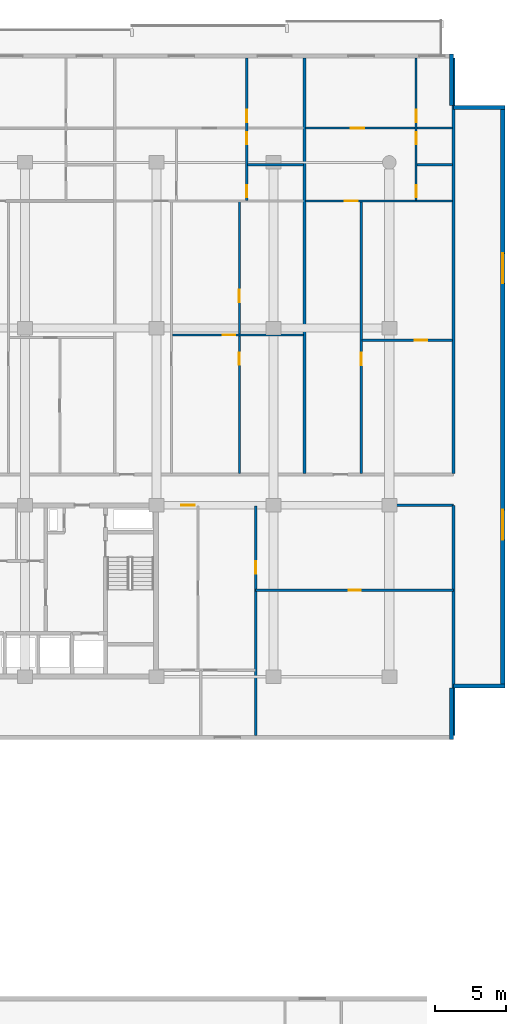
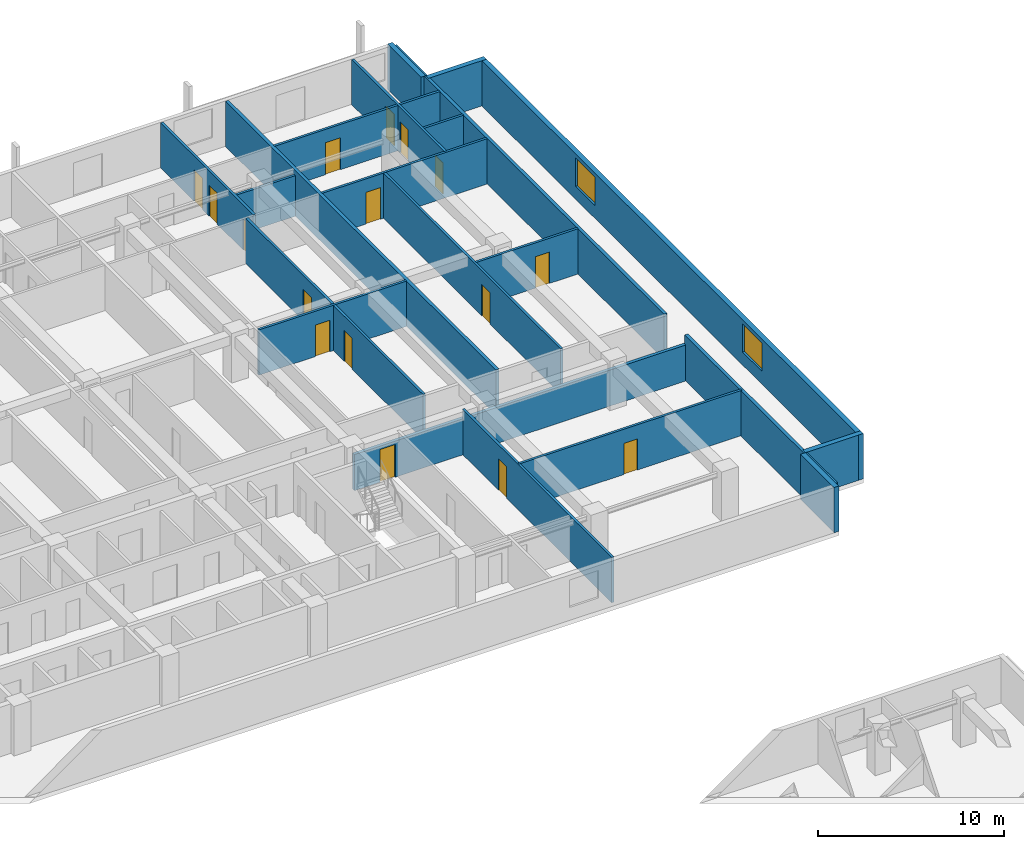
# One storey, part 17 of 23: 21 walls, 16 doors, 2 windows, 18 openings.
"""IFC4 building model written with IfcOpenShell, lengths in metres."""

from ifc_helpers import new_model, si_unit, direction, frame, frame_2d, origin, place, context, subcontext, project, spatial, rectangle, extrude, material, layer, layer_set, type_object, element, fill, save


model = new_model("IFC4")

# Units and contexts
model_context = context("Model", 3, precision=1e-05, world=origin(), true_north=direction((0.0, 1.0)))
body_context = subcontext(model_context, "Body", "Model", "MODEL_VIEW")
ifc_project = project(units=[si_unit("LENGTHUNIT", "METRE"), si_unit("AREAUNIT", "SQUARE_METRE"), si_unit("VOLUMEUNIT", "CUBIC_METRE"), si_unit("PLANEANGLEUNIT", "RADIAN"), si_unit("MASSUNIT", "GRAM", prefix="KILO")], contexts=[model_context])

# Site, building, storey
site_placement = place(None, origin())
site = spatial("IfcSite", under=ifc_project, at=site_placement, CompositionType="ELEMENT")
building_placement = place(site_placement, origin())
building = spatial("IfcBuilding", under=site, at=building_placement, Name="Korimba Cascade Residences", CompositionType="ELEMENT")
storey_placement = place(building_placement, frame((0.0, 0.0, 40.25)))
storey = spatial("IfcBuildingStorey", under=building, at=storey_placement, Name="L10", CompositionType="ELEMENT", Elevation=40.25)

# Walls
ifc_material_1 = material(Name="Precast concrete C40/50", Category="concrete")
ifc_layer_1 = layer(ifc_material_1, 0.300048828125)
ifc_layer_set_1 = layer_set([ifc_layer_1], Name="Precast concrete C40/50")
wall_type_1 = type_object("IfcWallType", Name="EW-STONE-300", PredefinedType="STANDARD", material=ifc_layer_set_1)
wall_1_placement = place(storey_placement, frame((132.75, 50.800048828125, 0.0), z_axis=(0.0, 0.0, 1.0), x_axis=(0.0, 1.0, 0.0)))
element("IfcWall", 1, at=wall_1_placement, inside=storey, type_object=wall_type_1, Name="L10 T1 Perimeter Stone Wall E01", PredefinedType="STANDARD", context=body_context, shape_type="SweptSolid", body=[
    extrude(rectangle(XDim=3.599853515625, YDim=0.300048828125, at=frame_2d((1.7998046875, 0.0))), origin(), (0.0, 0.0, 1.0), 2.969970703125),
])
wall_2_placement = place(storey_placement, frame((132.89990234375, 54.550048828125, 0.0), z_axis=(0.0, 0.0, 1.0), x_axis=(1.0, 0.0, 0.0)))
element("IfcWall", 2, at=wall_2_placement, inside=storey, type_object=wall_type_1, Name="L10 T1 Perimeter Stone Wall E02", PredefinedType="STANDARD", context=body_context, shape_type="SweptSolid", body=[
    extrude(rectangle(XDim=3.60009765625, YDim=0.300048828125, at=frame_2d((1.800048828125, 0.0))), origin(), (0.0, 0.0, 1.0), 2.969970703125),
])

# Wall, openings, windows
wall_3_placement = place(storey_placement, frame((136.35009765625, 54.39990234375, 0.0), z_axis=(0.0, 0.0, 1.0), x_axis=(0.0, 1.0, 0.0)))
wall_3 = element("IfcWall", 3, at=wall_3_placement, inside=storey, type_object=wall_type_1, Name="L10 T1 Perimeter Stone Wall E03", PredefinedType="STANDARD", context=body_context, shape_type="SweptSolid", body=[
    extrude(rectangle(XDim=40.800048828125, YDim=0.300048828125, at=frame_2d((20.39990234375, 0.0))), origin(), (0.0, 0.0, 1.0), 2.969970703125),
])
opening_1_placement = place(wall_3_placement, frame((10.3740234375, 0.0, 0.85009765625)))
opening_1 = element("IfcOpeningElement", 4, at=opening_1_placement, cuts=wall_3, Name="Opening W-03", PredefinedType="OPENING", context=body_context, shape_type="SweptSolid", body=[
    extrude(rectangle(XDim=2.10009765625, YDim=1.85009765625, at=frame_2d((1.050048828125, 0.925048828125))), frame((0.0, 0.16015625, 0.0), z_axis=(0.0, -1.0, 0.0), x_axis=(1.0, 0.0, 0.0)), (0.0, 0.0, 1.0), 0.320068359375),
])
opening_2_placement = place(wall_3_placement, frame((28.325927734375, 0.0, 0.85009765625)))
opening_2 = element("IfcOpeningElement", 5, at=opening_2_placement, cuts=wall_3, Name="Opening W-03", PredefinedType="OPENING", context=body_context, shape_type="SweptSolid", body=[
    extrude(rectangle(XDim=2.10009765625, YDim=1.85009765625, at=frame_2d((1.050048828125, 0.925048828125))), frame((0.0, 0.16015625, 0.0), z_axis=(0.0, -1.0, 0.0), x_axis=(1.0, 0.0, 0.0)), (0.0, 0.0, 1.0), 0.320068359375),
])
ifc_material_2 = material(Name="Double-Glazed Aluminium Window", Category="aluminium")
window_type = type_object("IfcWindowType", Name="WIN-CRN-2100", PartitioningType="DOUBLE_PANEL_HORIZONTAL", PredefinedType="WINDOW", material=ifc_material_2)
window_1_placement = place(opening_1_placement, origin())
window_1 = element("IfcWindow", 6, at=window_1_placement, inside=storey, type_object=window_type, Name="L10 T1 End View Window 3.1", OverallHeight=1.85009765625, OverallWidth=2.10009765625, PartitioningType="DOUBLE_PANEL_HORIZONTAL", PredefinedType="WINDOW", context=body_context, shape_type="SweptSolid", body=[
    extrude(rectangle(XDim=2.10009765625, YDim=1.85009765625, at=frame_2d((1.050048828125, 0.925048828125))), frame((0.0, 0.030029296875, 0.0), z_axis=(0.0, -1.0, 0.0), x_axis=(1.0, 0.0, 0.0)), (0.0, 0.0, 1.0), 0.06005859375),
])
fill(opening_1, window_1)
window_2_placement = place(opening_2_placement, origin())
window_2 = element("IfcWindow", 7, at=window_2_placement, inside=storey, type_object=window_type, Name="L10 T1 End View Window 3.2", OverallHeight=1.85009765625, OverallWidth=2.10009765625, PartitioningType="DOUBLE_PANEL_HORIZONTAL", PredefinedType="WINDOW", context=body_context, shape_type="SweptSolid", body=[
    extrude(rectangle(XDim=2.10009765625, YDim=1.85009765625, at=frame_2d((1.050048828125, 0.925048828125))), frame((0.0, 0.030029296875, 0.0), z_axis=(0.0, -1.0, 0.0), x_axis=(1.0, 0.0, 0.0)), (0.0, 0.0, 1.0), 0.06005859375),
])
fill(opening_2, window_2)

# Walls
for number, where, z_axis, x_axis, name in (
    (8, (136.5, 95.050048828125, 0.0), (0.0, 0.0, 1.0), (-1.0, 0.0, 0.0), "L10 T1 Perimeter Stone Wall E04"),
    (9, (132.75, 95.199951171875, 0.0), (0.0, 0.0, 1.0), (0.0, 1.0, 0.0), "L10 T1 Perimeter Stone Wall E05"),
):
    element("IfcWall", number, at=place(storey_placement, frame(where, z_axis=z_axis, x_axis=x_axis)), inside=storey, type_object=wall_type_1, Name=name, PredefinedType="STANDARD", context=body_context, shape_type="SweptSolid", body=[
        extrude(rectangle(XDim=3.60009765625, YDim=0.300048828125, at=frame_2d((1.800048828125, 0.0))), origin(), (0.0, 0.0, 1.0), 2.969970703125),
    ])
ifc_layer_2 = layer(ifc_material_1, 0.199951171875)
ifc_layer_set_2 = layer_set([ifc_layer_2], Name="Precast concrete C40/50")
wall_type_2 = type_object("IfcWallType", Name="WAL-IT-200", PredefinedType="PARTITIONING", material=ifc_layer_set_2)
wall_4_placement = place(storey_placement, frame((132.89990234375, 51.10009765625, 0.0), z_axis=(0.0, 0.0, 1.0), x_axis=(0.0, 1.0, 0.0)))
element("IfcWall", 10, at=wall_4_placement, inside=storey, type_object=wall_type_2, Name="L10 Partition Wall WAL-L10-T1-FE-WR", PredefinedType="PARTITIONING", context=body_context, shape_type="SweptSolid", body=[
    extrude(rectangle(XDim=16.099853515625, YDim=0.199951171875, at=frame_2d((8.0498046875, 0.0))), origin(), (0.0, 0.0, 1.0), 2.969970703125),
])

# Wall, opening, door
wall_5_placement = place(storey_placement, frame((112.25, 67.199951171875, 0.0), z_axis=(0.0, 0.0, 1.0), x_axis=(1.0, 0.0, 0.0)))
wall_5 = element("IfcWall", 11, at=wall_5_placement, inside=storey, type_object=wall_type_2, Name="L10 Partition Wall WAL-L10-T1-FE-N", PredefinedType="PARTITIONING", context=body_context, shape_type="SweptSolid", body=[
    extrude(rectangle(XDim=20.64990234375, YDim=0.199951171875, at=frame_2d((10.324951171875, 0.0))), origin(), (0.0, 0.0, 1.0), 2.3701171875),
])
opening_3_placement = place(wall_5_placement, frame((1.580078125, 0.0, 0.0)))
opening_3 = element("IfcOpeningElement", 12, at=opening_3_placement, cuts=wall_5, Name="Opening D-UN1", PredefinedType="OPENING", context=body_context, shape_type="SweptSolid", body=[
    extrude(rectangle(XDim=0.949951171875, YDim=2.14990234375, at=frame_2d((0.47509765625, 1.074951171875))), frame((0.0, 0.10986328125, 0.0), z_axis=(0.0, -1.0, 0.0), x_axis=(1.0, 0.0, 0.0)), (0.0, 0.0, 1.0), 0.219970703125),
])
ifc_material_3 = material(Name="Fire-Rated Hardwood Apartment Entrance Door", Category="wood")
door_type_1 = type_object("IfcDoorType", Name="DR-FD60-950", OperationType="NOTDEFINED", PredefinedType="DOOR", material=ifc_material_3)
door_1_placement = place(opening_3_placement, origin())
door_1 = element("IfcDoor", 13, at=door_1_placement, inside=storey, type_object=door_type_1, Name="L10-T1-FE Entrance Door", OperationType="SINGLE_SWING_LEFT", OverallHeight=2.14990234375, OverallWidth=0.949951171875, PredefinedType="DOOR", context=body_context, shape_type="SweptSolid", body=[
    extrude(rectangle(XDim=0.949951171875, YDim=2.14990234375, at=frame_2d((0.47509765625, 1.074951171875))), frame((0.0, 0.02490234375, 0.0), z_axis=(0.0, -1.0, 0.0), x_axis=(1.0, 0.0, 0.0)), (0.0, 0.0, 1.0), 0.050048828125),
])
fill(opening_3, door_1)

# Walls
for number, where, z_axis, x_axis, name in (
    (14, (132.89990234375, 69.429931640625, 0.0), (0.0, 0.0, 1.0), (0.0, 1.0, 0.0), "L10 Partition Wall WAL-L10-T1-BNDWR"),
    (15, (122.4697265625, 69.429931640625, 0.0), (0.0, 0.0, 1.0), (0.0, 1.0, 0.0), "L10 Partition Wall WAL-L10-T1-DEM-5"),
):
    element("IfcWall", number, at=place(storey_placement, frame(where, z_axis=z_axis, x_axis=x_axis)), inside=storey, type_object=wall_type_2, Name=name, PredefinedType="PARTITIONING", context=body_context, shape_type="SweptSolid", body=[
        extrude(rectangle(XDim=29.070068359375, YDim=0.199951171875, at=frame_2d((14.53515625, 0.0))), origin(), (0.0, 0.0, 1.0), 2.969970703125),
    ])

# Wall, opening, door
ifc_material_4 = material(Name="Insulated Acoustic Stud Partition", Category="gypsum")
ifc_layer_3 = layer(ifc_material_4, 0.14990234375)
ifc_layer_set_3 = layer_set([ifc_layer_3], Name="Insulated Acoustic Stud Partition")
wall_type_3 = type_object("IfcWallType", Name="WAL-PART-150", PredefinedType="PARTITIONING", material=ifc_layer_set_3)
wall_6_placement = place(storey_placement, frame((119.050048828125, 61.25, 0.0), z_axis=(0.0, 0.0, 1.0), x_axis=(1.0, 0.0, 0.0)))
wall_6 = element("IfcWall", 16, at=wall_6_placement, inside=storey, type_object=wall_type_3, Name="L10 Partition Wall WAL-L10-T1-FE-STH", PredefinedType="PARTITIONING", context=body_context, shape_type="SweptSolid", body=[
    extrude(rectangle(XDim=13.849853515625, YDim=0.14990234375, at=frame_2d((6.9248046875, 0.0))), origin(), (0.0, 0.0, 1.0), 2.969970703125),
])
opening_4_placement = place(wall_6_placement, frame((6.5048828125, 0.0, 0.0)))
opening_4 = element("IfcOpeningElement", 17, at=opening_4_placement, cuts=wall_6, Name="Opening D-BT1", PredefinedType="OPENING", context=body_context, shape_type="SweptSolid", body=[
    extrude(rectangle(XDim=0.840087890625, YDim=2.0400390625, at=frame_2d((0.419921875, 1.02001953125))), frame((0.0, 0.0849609375, 0.0), z_axis=(0.0, -1.0, 0.0), x_axis=(1.0, 0.0, 0.0)), (0.0, 0.0, 1.0), 0.169921875),
])
ifc_material_5 = material(Name="Moisture-Resistant Bathroom Timber Door", Category="wood")
door_type_2 = type_object("IfcDoorType", Name="DR-INT-850", OperationType="NOTDEFINED", PredefinedType="DOOR", material=ifc_material_5)
door_2_placement = place(opening_4_placement, origin())
door_2 = element("IfcDoor", 18, at=door_2_placement, inside=storey, type_object=door_type_2, Name="L10-T1-FE Dressing Store Door", OperationType="SINGLE_SWING_RIGHT", OverallHeight=2.0400390625, OverallWidth=0.840087890625, PredefinedType="DOOR", context=body_context, shape_type="SweptSolid", body=[
    extrude(rectangle(XDim=0.840087890625, YDim=2.0400390625, at=frame_2d((0.419921875, 1.02001953125))), frame((0.0, 0.02490234375, 0.0), z_axis=(0.0, -1.0, 0.0), x_axis=(1.0, 0.0, 0.0)), (0.0, 0.0, 1.0), 0.050048828125),
])
fill(opening_4, door_2)

wall_7_placement = place(storey_placement, frame((119.050048828125, 51.10009765625, 0.0), z_axis=(0.0, 0.0, 1.0), x_axis=(0.0, 1.0, 0.0)))
wall_7 = element("IfcWall", 19, at=wall_7_placement, inside=storey, type_object=wall_type_3, Name="L10 Partition Wall WAL-L10-T1-FE-STV", PredefinedType="PARTITIONING", context=body_context, shape_type="SweptSolid", body=[
    extrude(rectangle(XDim=16.0498046875, YDim=0.14990234375, at=frame_2d((8.02490234375, 0.0))), origin(), (0.0, 0.0, 1.0), 2.969970703125),
])
opening_5_placement = place(wall_7_placement, frame((11.300048828125, 0.0, 0.0)))
opening_5 = element("IfcOpeningElement", 20, at=opening_5_placement, cuts=wall_7, Name="Opening D-IN2", PredefinedType="OPENING", context=body_context, shape_type="SweptSolid", body=[
    extrude(rectangle(XDim=0.8798828125, YDim=2.06005859375, at=frame_2d((0.43994140625, 1.030029296875))), frame((0.0, 0.0849609375, 0.0), z_axis=(0.0, -1.0, 0.0), x_axis=(1.0, 0.0, 0.0)), (0.0, 0.0, 1.0), 0.169921875),
])
ifc_material_6 = material(Name="Acoustic Timber Bedroom Door", Category="wood")
door_type_3 = type_object("IfcDoorType", Name="DR-INT-880", OperationType="NOTDEFINED", PredefinedType="DOOR", material=ifc_material_6)
door_3_placement = place(opening_5_placement, origin())
door_3 = element("IfcDoor", 21, at=door_3_placement, inside=storey, type_object=door_type_3, Name="L10-T1-FE Study Door", OperationType="SINGLE_SWING_LEFT", OverallHeight=2.06005859375, OverallWidth=0.8798828125, PredefinedType="DOOR", context=body_context, shape_type="SweptSolid", body=[
    extrude(rectangle(XDim=0.8798828125, YDim=2.06005859375, at=frame_2d((0.43994140625, 1.030029296875))), frame((0.0, 0.02490234375, 0.0), z_axis=(0.0, -1.0, 0.0), x_axis=(1.0, 0.0, 0.0)), (0.0, 0.0, 1.0), 0.050048828125),
])
fill(opening_5, door_3)

# Wall, openings, doors
wall_8_placement = place(storey_placement, frame((117.903564453125, 69.409912109375, 0.0), z_axis=(0.0, 0.0, 1.0), x_axis=(0.0, 1.0, 0.0)))
wall_8 = element("IfcWall", 22, at=wall_8_placement, inside=storey, type_object=wall_type_3, Name="L10 Partition Wall WAL-L10-T1-U05-FMV", PredefinedType="PARTITIONING", context=body_context, shape_type="SweptSolid", body=[
    extrude(rectangle(XDim=19.050048828125, YDim=0.14990234375, at=frame_2d((9.52490234375, 0.0))), origin(), (0.0, 0.0, 1.0), 2.969970703125),
])
opening_6_placement = place(wall_8_placement, frame((7.623291015625, 0.0, 0.0)))
opening_6 = element("IfcOpeningElement", 23, at=opening_6_placement, cuts=wall_8, Name="Opening D-BT1", PredefinedType="OPENING", context=body_context, shape_type="SweptSolid", body=[
    extrude(rectangle(XDim=0.840087890625, YDim=2.0400390625, at=frame_2d((0.419921875, 1.02001953125))), frame((0.0, 0.0849609375, 0.0), z_axis=(0.0, -1.0, 0.0), x_axis=(1.0, 0.0, 0.0)), (0.0, 0.0, 1.0), 0.169921875),
])
opening_7_placement = place(wall_8_placement, frame((12.0, 0.0, 0.0)))
opening_7 = element("IfcOpeningElement", 24, at=opening_7_placement, cuts=wall_8, Name="Opening D-IN2", PredefinedType="OPENING", context=body_context, shape_type="SweptSolid", body=[
    extrude(rectangle(XDim=0.8798828125, YDim=2.06005859375, at=frame_2d((0.43994140625, 1.030029296875))), frame((0.0, 0.0849609375, 0.0), z_axis=(0.0, -1.0, 0.0), x_axis=(1.0, 0.0, 0.0)), (0.0, 0.0, 1.0), 0.169921875),
])
door_4_placement = place(opening_6_placement, origin())
door_4 = element("IfcDoor", 25, at=door_4_placement, inside=storey, type_object=door_type_2, Name="L10-T1-U05 Wardrobe Door", OperationType="SINGLE_SWING_LEFT", OverallHeight=2.0400390625, OverallWidth=0.840087890625, PredefinedType="DOOR", context=body_context, shape_type="SweptSolid", body=[
    extrude(rectangle(XDim=0.840087890625, YDim=2.0400390625, at=frame_2d((0.419921875, 1.02001953125))), frame((0.0, 0.02490234375, 0.0), z_axis=(0.0, -1.0, 0.0), x_axis=(1.0, 0.0, 0.0)), (0.0, 0.0, 1.0), 0.050048828125),
])
fill(opening_6, door_4)
door_5_placement = place(opening_7_placement, origin())
door_5 = element("IfcDoor", 26, at=door_5_placement, inside=storey, type_object=door_type_3, Name="L10-T1-U05 Music Lounge Door", OperationType="SINGLE_SWING_RIGHT", OverallHeight=2.06005859375, OverallWidth=0.8798828125, PredefinedType="DOOR", context=body_context, shape_type="SweptSolid", body=[
    extrude(rectangle(XDim=0.8798828125, YDim=2.06005859375, at=frame_2d((0.43994140625, 1.030029296875))), frame((0.0, 0.02490234375, 0.0), z_axis=(0.0, -1.0, 0.0), x_axis=(1.0, 0.0, 0.0)), (0.0, 0.0, 1.0), 0.050048828125),
])
fill(opening_7, door_5)

# Wall, opening, door
wall_9_placement = place(storey_placement, frame((113.21728515625, 79.114990234375, 0.0), z_axis=(0.0, 0.0, 1.0), x_axis=(1.0, 0.0, 0.0)))
wall_9 = element("IfcWall", 27, at=wall_9_placement, inside=storey, type_object=wall_type_3, Name="L10 Partition Wall WAL-L10-T1-U05-FMH", PredefinedType="PARTITIONING", context=body_context, shape_type="SweptSolid", body=[
    extrude(rectangle(XDim=9.172607421875, YDim=0.14990234375, at=frame_2d((4.58642578125, 0.0))), origin(), (0.0, 0.0, 1.0), 2.969970703125),
])
opening_8_placement = place(wall_9_placement, frame((3.521484375, 0.0, 0.0)))
opening_8 = element("IfcOpeningElement", 28, at=opening_8_placement, cuts=wall_9, Name="Opening D-IN2", PredefinedType="OPENING", context=body_context, shape_type="SweptSolid", body=[
    extrude(rectangle(XDim=0.8798828125, YDim=2.06005859375, at=frame_2d((0.43994140625, 1.030029296875))), frame((0.0, 0.0849609375, 0.0), z_axis=(0.0, -1.0, 0.0), x_axis=(1.0, 0.0, 0.0)), (0.0, 0.0, 1.0), 0.169921875),
])
door_6_placement = place(opening_8_placement, origin())
door_6 = element("IfcDoor", 29, at=door_6_placement, inside=storey, type_object=door_type_3, Name="L10-T1-U05 Library Salon Door", OperationType="SINGLE_SWING_LEFT", OverallHeight=2.06005859375, OverallWidth=0.8798828125, PredefinedType="DOOR", context=body_context, shape_type="SweptSolid", body=[
    extrude(rectangle(XDim=0.8798828125, YDim=2.06005859375, at=frame_2d((0.43994140625, 1.030029296875))), frame((0.0, 0.02490234375, 0.0), z_axis=(0.0, -1.0, 0.0), x_axis=(1.0, 0.0, 0.0)), (0.0, 0.0, 1.0), 0.050048828125),
])
fill(opening_8, door_6)

# Wall
wall_10_placement = place(storey_placement, frame((118.47998046875, 91.0400390625, 0.0), z_axis=(0.0, 0.0, 1.0), x_axis=(1.0, 0.0, 0.0)))
element("IfcWall", 30, at=wall_10_placement, inside=storey, type_object=wall_type_3, Name="L10 Partition Wall WAL-L10-T1-U05-BLDIV", PredefinedType="PARTITIONING", context=body_context, shape_type="SweptSolid", body=[
    extrude(rectangle(XDim=3.909912109375, YDim=0.14990234375, at=frame_2d((1.955078125, 0.0))), origin(), (0.0, 0.0, 1.0), 2.663330078125),
])

# Wall, openings, doors
wall_11_placement = place(storey_placement, frame((118.419921875, 88.5400390625, 0.0), z_axis=(0.0, 0.0, 1.0), x_axis=(0.0, 1.0, 0.0)))
wall_11 = element("IfcWall", 31, at=wall_11_placement, inside=storey, type_object=wall_type_3, Name="L10 Partition Wall WAL-L10-T1-U05-V1", PredefinedType="PARTITIONING", context=body_context, shape_type="SweptSolid", body=[
    extrude(rectangle(XDim=9.9599609375, YDim=0.14990234375, at=frame_2d((4.97998046875, 0.0))), origin(), (0.0, 0.0, 1.0), 2.969970703125),
])
opening_9_placement = place(wall_11_placement, frame((0.239990234375, 0.0, 0.0)))
opening_9 = element("IfcOpeningElement", 32, at=opening_9_placement, cuts=wall_11, Name="Opening D-BT1", PredefinedType="OPENING", context=body_context, shape_type="SweptSolid", body=[
    extrude(rectangle(XDim=0.840087890625, YDim=2.0400390625, at=frame_2d((0.419921875, 1.02001953125))), frame((0.0, 0.0849609375, 0.0), z_axis=(0.0, -1.0, 0.0), x_axis=(1.0, 0.0, 0.0)), (0.0, 0.0, 1.0), 0.169921875),
])
opening_10_placement = place(wall_11_placement, frame((3.919921875, 0.0, 0.0)))
opening_10 = element("IfcOpeningElement", 33, at=opening_10_placement, cuts=wall_11, Name="Opening D-BT1", PredefinedType="OPENING", context=body_context, shape_type="SweptSolid", body=[
    extrude(rectangle(XDim=0.840087890625, YDim=2.0400390625, at=frame_2d((0.419921875, 1.02001953125))), frame((0.0, 0.0849609375, 0.0), z_axis=(0.0, -1.0, 0.0), x_axis=(1.0, 0.0, 0.0)), (0.0, 0.0, 1.0), 0.169921875),
])
opening_11_placement = place(wall_11_placement, frame((5.47998046875, 0.0, 0.0)))
opening_11 = element("IfcOpeningElement", 34, at=opening_11_placement, cuts=wall_11, Name="Opening D-IN2", PredefinedType="OPENING", context=body_context, shape_type="SweptSolid", body=[
    extrude(rectangle(XDim=0.8798828125, YDim=2.06005859375, at=frame_2d((0.43994140625, 1.030029296875))), frame((0.0, 0.0849609375, 0.0), z_axis=(0.0, -1.0, 0.0), x_axis=(1.0, 0.0, 0.0)), (0.0, 0.0, 1.0), 0.169921875),
])
door_7_placement = place(opening_9_placement, origin())
door_7 = element("IfcDoor", 35, at=door_7_placement, inside=storey, type_object=door_type_2, Name="L10-T1-U05 Bathroom Door", OperationType="SINGLE_SWING_RIGHT", OverallHeight=2.0400390625, OverallWidth=0.840087890625, PredefinedType="DOOR", context=body_context, shape_type="SweptSolid", body=[
    extrude(rectangle(XDim=0.840087890625, YDim=2.0400390625, at=frame_2d((0.419921875, 1.02001953125))), frame((0.0, 0.02490234375, 0.0), z_axis=(0.0, -1.0, 0.0), x_axis=(1.0, 0.0, 0.0)), (0.0, 0.0, 1.0), 0.050048828125),
])
fill(opening_9, door_7)
door_8_placement = place(opening_10_placement, origin())
door_8 = element("IfcDoor", 36, at=door_8_placement, inside=storey, type_object=door_type_2, Name="L10-T1-U05 Laundry Door", OperationType="SINGLE_SWING_LEFT", OverallHeight=2.0400390625, OverallWidth=0.840087890625, PredefinedType="DOOR", context=body_context, shape_type="SweptSolid", body=[
    extrude(rectangle(XDim=0.840087890625, YDim=2.0400390625, at=frame_2d((0.419921875, 1.02001953125))), frame((0.0, 0.02490234375, 0.0), z_axis=(0.0, -1.0, 0.0), x_axis=(1.0, 0.0, 0.0)), (0.0, 0.0, 1.0), 0.050048828125),
])
fill(opening_10, door_8)
door_9_placement = place(opening_11_placement, origin())
door_9 = element("IfcDoor", 37, at=door_9_placement, inside=storey, type_object=door_type_3, Name="L10-T1-U05 Bedroom 1 Door", OperationType="SINGLE_SWING_RIGHT", OverallHeight=2.06005859375, OverallWidth=0.8798828125, PredefinedType="DOOR", context=body_context, shape_type="SweptSolid", body=[
    extrude(rectangle(XDim=0.8798828125, YDim=2.06005859375, at=frame_2d((0.43994140625, 1.030029296875))), frame((0.0, 0.02490234375, 0.0), z_axis=(0.0, -1.0, 0.0), x_axis=(1.0, 0.0, 0.0)), (0.0, 0.0, 1.0), 0.050048828125),
])
fill(opening_11, door_9)

# Wall, opening, door
wall_12_placement = place(storey_placement, frame((126.499755859375, 78.7548828125, 0.0), z_axis=(0.0, 0.0, 1.0), x_axis=(1.0, 0.0, 0.0)))
wall_12 = element("IfcWall", 38, at=wall_12_placement, inside=storey, type_object=wall_type_3, Name="L10 Partition Wall WAL-L10-T1-U06-FMH", PredefinedType="PARTITIONING", context=body_context, shape_type="SweptSolid", body=[
    extrude(rectangle(XDim=6.3203125, YDim=0.14990234375, at=frame_2d((3.16015625, 0.0))), origin(), (0.0, 0.0, 1.0), 2.969970703125),
])
opening_12_placement = place(wall_12_placement, frame((3.668212890625, 0.0, 0.0)))
opening_12 = element("IfcOpeningElement", 39, at=opening_12_placement, cuts=wall_12, Name="Opening D-IN2", PredefinedType="OPENING", context=body_context, shape_type="SweptSolid", body=[
    extrude(rectangle(XDim=0.8798828125, YDim=2.06005859375, at=frame_2d((0.43994140625, 1.030029296875))), frame((0.0, 0.0849609375, 0.0), z_axis=(0.0, -1.0, 0.0), x_axis=(1.0, 0.0, 0.0)), (0.0, 0.0, 1.0), 0.169921875),
])
door_10_placement = place(opening_12_placement, origin())
door_10 = element("IfcDoor", 40, at=door_10_placement, inside=storey, type_object=door_type_3, Name="L10-T1-U06 Library Salon Door", OperationType="SINGLE_SWING_LEFT", OverallHeight=2.06005859375, OverallWidth=0.8798828125, PredefinedType="DOOR", context=body_context, shape_type="SweptSolid", body=[
    extrude(rectangle(XDim=0.8798828125, YDim=2.06005859375, at=frame_2d((0.43994140625, 1.030029296875))), frame((0.0, 0.02490234375, 0.0), z_axis=(0.0, -1.0, 0.0), x_axis=(1.0, 0.0, 0.0)), (0.0, 0.0, 1.0), 0.050048828125),
])
fill(opening_12, door_10)

wall_13_placement = place(storey_placement, frame((126.439697265625, 69.409912109375, 0.0), z_axis=(0.0, 0.0, 1.0), x_axis=(0.0, 1.0, 0.0)))
wall_13 = element("IfcWall", 41, at=wall_13_placement, inside=storey, type_object=wall_type_3, Name="L10 Partition Wall WAL-L10-T1-U06-FV", PredefinedType="PARTITIONING", context=body_context, shape_type="SweptSolid", body=[
    extrude(rectangle(XDim=19.050048828125, YDim=0.14990234375, at=frame_2d((9.52490234375, 0.0))), origin(), (0.0, 0.0, 1.0), 2.969970703125),
])
opening_13_placement = place(wall_13_placement, frame((7.585693359375, 0.0, 0.0)))
opening_13 = element("IfcOpeningElement", 42, at=opening_13_placement, cuts=wall_13, Name="Opening D-IN2", PredefinedType="OPENING", context=body_context, shape_type="SweptSolid", body=[
    extrude(rectangle(XDim=0.8798828125, YDim=2.06005859375, at=frame_2d((0.43994140625, 1.030029296875))), frame((0.0, 0.0849609375, 0.0), z_axis=(0.0, -1.0, 0.0), x_axis=(1.0, 0.0, 0.0)), (0.0, 0.0, 1.0), 0.169921875),
])
door_11_placement = place(opening_13_placement, origin())
door_11 = element("IfcDoor", 43, at=door_11_placement, inside=storey, type_object=door_type_3, Name="L10-T1-U06 Media Lounge Door", OperationType="SINGLE_SWING_RIGHT", OverallHeight=2.06005859375, OverallWidth=0.8798828125, PredefinedType="DOOR", context=body_context, shape_type="SweptSolid", body=[
    extrude(rectangle(XDim=0.8798828125, YDim=2.06005859375, at=frame_2d((0.43994140625, 1.030029296875))), frame((0.0, 0.02490234375, 0.0), z_axis=(0.0, -1.0, 0.0), x_axis=(1.0, 0.0, 0.0)), (0.0, 0.0, 1.0), 0.050048828125),
])
fill(opening_13, door_11)

# Wall
wall_14_placement = place(storey_placement, frame((130.340087890625, 91.0400390625, 0.0), z_axis=(0.0, 0.0, 1.0), x_axis=(1.0, 0.0, 0.0)))
element("IfcWall", 44, at=wall_14_placement, inside=storey, type_object=wall_type_3, Name="L10 Partition Wall WAL-L10-T1-U06-BLDIV", PredefinedType="PARTITIONING", context=body_context, shape_type="SweptSolid", body=[
    extrude(rectangle(XDim=2.47998046875, YDim=0.14990234375, at=frame_2d((1.239990234375, 0.0))), origin(), (0.0, 0.0, 1.0), 2.969970703125),
])

# Wall, openings, doors
wall_15_placement = place(storey_placement, frame((130.280029296875, 88.5400390625, 0.0), z_axis=(0.0, 0.0, 1.0), x_axis=(0.0, 1.0, 0.0)))
wall_15 = element("IfcWall", 45, at=wall_15_placement, inside=storey, type_object=wall_type_3, Name="L10 Partition Wall WAL-L10-T1-U06-V1", PredefinedType="PARTITIONING", context=body_context, shape_type="SweptSolid", body=[
    extrude(rectangle(XDim=9.9599609375, YDim=0.14990234375, at=frame_2d((4.97998046875, 0.0))), origin(), (0.0, 0.0, 1.0), 2.969970703125),
])
opening_14_placement = place(wall_15_placement, frame((0.239990234375, 0.0, 0.0)))
opening_14 = element("IfcOpeningElement", 46, at=opening_14_placement, cuts=wall_15, Name="Opening D-BT1", PredefinedType="OPENING", context=body_context, shape_type="SweptSolid", body=[
    extrude(rectangle(XDim=0.840087890625, YDim=2.0400390625, at=frame_2d((0.419921875, 1.02001953125))), frame((0.0, 0.0849609375, 0.0), z_axis=(0.0, -1.0, 0.0), x_axis=(1.0, 0.0, 0.0)), (0.0, 0.0, 1.0), 0.169921875),
])
opening_15_placement = place(wall_15_placement, frame((3.919921875, 0.0, 0.0)))
opening_15 = element("IfcOpeningElement", 47, at=opening_15_placement, cuts=wall_15, Name="Opening D-BT1", PredefinedType="OPENING", context=body_context, shape_type="SweptSolid", body=[
    extrude(rectangle(XDim=0.840087890625, YDim=2.0400390625, at=frame_2d((0.419921875, 1.02001953125))), frame((0.0, 0.0849609375, 0.0), z_axis=(0.0, -1.0, 0.0), x_axis=(1.0, 0.0, 0.0)), (0.0, 0.0, 1.0), 0.169921875),
])
opening_16_placement = place(wall_15_placement, frame((5.47998046875, 0.0, 0.0)))
opening_16 = element("IfcOpeningElement", 48, at=opening_16_placement, cuts=wall_15, Name="Opening D-IN2", PredefinedType="OPENING", context=body_context, shape_type="SweptSolid", body=[
    extrude(rectangle(XDim=0.8798828125, YDim=2.06005859375, at=frame_2d((0.43994140625, 1.030029296875))), frame((0.0, 0.0849609375, 0.0), z_axis=(0.0, -1.0, 0.0), x_axis=(1.0, 0.0, 0.0)), (0.0, 0.0, 1.0), 0.169921875),
])
door_12_placement = place(opening_14_placement, origin())
door_12 = element("IfcDoor", 49, at=door_12_placement, inside=storey, type_object=door_type_2, Name="L10-T1-U06 Bathroom Door", OperationType="SINGLE_SWING_LEFT", OverallHeight=2.0400390625, OverallWidth=0.840087890625, PredefinedType="DOOR", context=body_context, shape_type="SweptSolid", body=[
    extrude(rectangle(XDim=0.840087890625, YDim=2.0400390625, at=frame_2d((0.419921875, 1.02001953125))), frame((0.0, 0.02490234375, 0.0), z_axis=(0.0, -1.0, 0.0), x_axis=(1.0, 0.0, 0.0)), (0.0, 0.0, 1.0), 0.050048828125),
])
fill(opening_14, door_12)
door_13_placement = place(opening_15_placement, origin())
door_13 = element("IfcDoor", 50, at=door_13_placement, inside=storey, type_object=door_type_2, Name="L10-T1-U06 Laundry Door", OperationType="SINGLE_SWING_RIGHT", OverallHeight=2.0400390625, OverallWidth=0.840087890625, PredefinedType="DOOR", context=body_context, shape_type="SweptSolid", body=[
    extrude(rectangle(XDim=0.840087890625, YDim=2.0400390625, at=frame_2d((0.419921875, 1.02001953125))), frame((0.0, 0.02490234375, 0.0), z_axis=(0.0, -1.0, 0.0), x_axis=(1.0, 0.0, 0.0)), (0.0, 0.0, 1.0), 0.050048828125),
])
fill(opening_15, door_13)
door_14_placement = place(opening_16_placement, origin())
door_14 = element("IfcDoor", 51, at=door_14_placement, inside=storey, type_object=door_type_3, Name="L10-T1-U06 Bedroom 1 Door", OperationType="SINGLE_SWING_LEFT", OverallHeight=2.06005859375, OverallWidth=0.8798828125, PredefinedType="DOOR", context=body_context, shape_type="SweptSolid", body=[
    extrude(rectangle(XDim=0.8798828125, YDim=2.06005859375, at=frame_2d((0.43994140625, 1.030029296875))), frame((0.0, 0.02490234375, 0.0), z_axis=(0.0, -1.0, 0.0), x_axis=(1.0, 0.0, 0.0)), (0.0, 0.0, 1.0), 0.050048828125),
])
fill(opening_16, door_14)

# Wall, opening, door
wall_16_placement = place(storey_placement, frame((122.5498046875, 88.5, 0.0), z_axis=(0.0, 0.0, 1.0), x_axis=(1.0, 0.0, 0.0)))
wall_16 = element("IfcWall", 52, at=wall_16_placement, inside=storey, type_object=wall_type_3, Name="L10 Partition Wall WAL-L10-T1-U06-MW", PredefinedType="PARTITIONING", context=body_context, shape_type="SweptSolid", body=[
    extrude(rectangle(XDim=10.270263671875, YDim=0.14990234375, at=frame_2d((5.13525390625, 0.0))), origin(), (0.0, 0.0, 1.0), 2.969970703125),
])
opening_17_placement = place(wall_16_placement, frame((2.719970703125, 0.0, 0.0)))
opening_17 = element("IfcOpeningElement", 53, at=opening_17_placement, cuts=wall_16, Name="Opening D-IN1", PredefinedType="OPENING", context=body_context, shape_type="SweptSolid", body=[
    extrude(rectangle(XDim=0.919921875, YDim=2.080078125, at=frame_2d((0.4599609375, 1.0400390625))), frame((0.0, 0.0849609375, 0.0), z_axis=(0.0, -1.0, 0.0), x_axis=(1.0, 0.0, 0.0)), (0.0, 0.0, 1.0), 0.169921875),
])
ifc_material_7 = material(Name="Acoustic Timber Living Door", Category="wood")
door_type_4 = type_object("IfcDoorType", Name="DR-INT-920", OperationType="NOTDEFINED", PredefinedType="DOOR", material=ifc_material_7)
door_15_placement = place(opening_17_placement, origin())
door_15 = element("IfcDoor", 54, at=door_15_placement, inside=storey, type_object=door_type_4, Name="L10-T1-U06 Kitchen Archway Door", OperationType="SINGLE_SWING_RIGHT", OverallHeight=2.080078125, OverallWidth=0.919921875, PredefinedType="DOOR", context=body_context, shape_type="SweptSolid", body=[
    extrude(rectangle(XDim=0.919921875, YDim=2.080078125, at=frame_2d((0.4599609375, 1.0400390625))), frame((0.0, 0.02490234375, 0.0), z_axis=(0.0, -1.0, 0.0), x_axis=(1.0, 0.0, 0.0)), (0.0, 0.0, 1.0), 0.050048828125),
])
fill(opening_17, door_15)

wall_17_placement = place(storey_placement, frame((122.5498046875, 93.60009765625, 0.0), z_axis=(0.0, 0.0, 1.0), x_axis=(1.0, 0.0, 0.0)))
wall_17 = element("IfcWall", 55, at=wall_17_placement, inside=storey, type_object=wall_type_3, Name="L10 Partition Wall WAL-L10-T1-U06-HZ", PredefinedType="PARTITIONING", context=body_context, shape_type="SweptSolid", body=[
    extrude(rectangle(XDim=10.270263671875, YDim=0.14990234375, at=frame_2d((5.13525390625, 0.0))), origin(), (0.0, 0.0, 1.0), 2.969970703125),
])
opening_18_placement = place(wall_17_placement, frame((3.1435546875, 0.0, 0.0)))
opening_18 = element("IfcOpeningElement", 56, at=opening_18_placement, cuts=wall_17, Name="Opening D-IN0", PredefinedType="OPENING", context=body_context, shape_type="SweptSolid", body=[
    extrude(rectangle(XDim=0.93994140625, YDim=2.10009765625, at=frame_2d((0.469970703125, 1.050048828125))), frame((0.0, 0.0849609375, 0.0), z_axis=(0.0, -1.0, 0.0), x_axis=(1.0, 0.0, 0.0)), (0.0, 0.0, 1.0), 0.169921875),
])
ifc_material_8 = material(Name="Acoustic Timber Living Archway Door", Category="wood")
door_type_5 = type_object("IfcDoorType", Name="DR-INT-950", OperationType="NOTDEFINED", PredefinedType="DOOR", material=ifc_material_8)
door_16_placement = place(opening_18_placement, origin())
door_16 = element("IfcDoor", 57, at=door_16_placement, inside=storey, type_object=door_type_5, Name="L10-T1-U06 Living Archway Door", OperationType="SINGLE_SWING_LEFT", OverallHeight=2.10009765625, OverallWidth=0.93994140625, PredefinedType="DOOR", context=body_context, shape_type="SweptSolid", body=[
    extrude(rectangle(XDim=0.93994140625, YDim=2.10009765625, at=frame_2d((0.469970703125, 1.050048828125))), frame((0.0, 0.02490234375, 0.0), z_axis=(0.0, -1.0, 0.0), x_axis=(1.0, 0.0, 0.0)), (0.0, 0.0, 1.0), 0.050048828125),
])
fill(opening_18, door_16)

save(model, "model.ifc")
